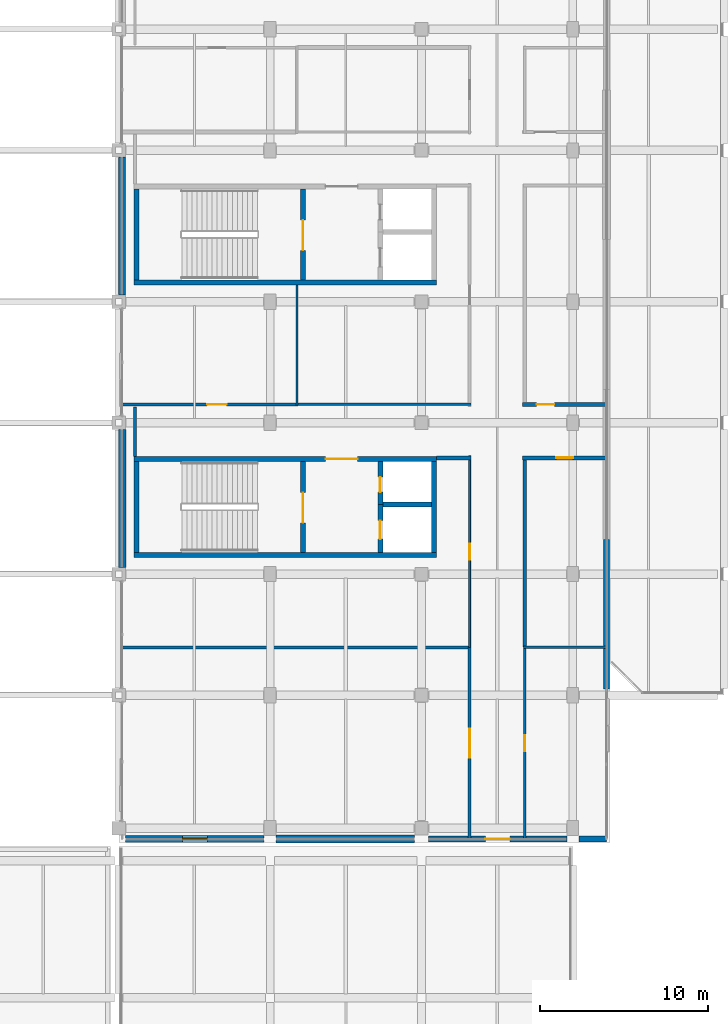
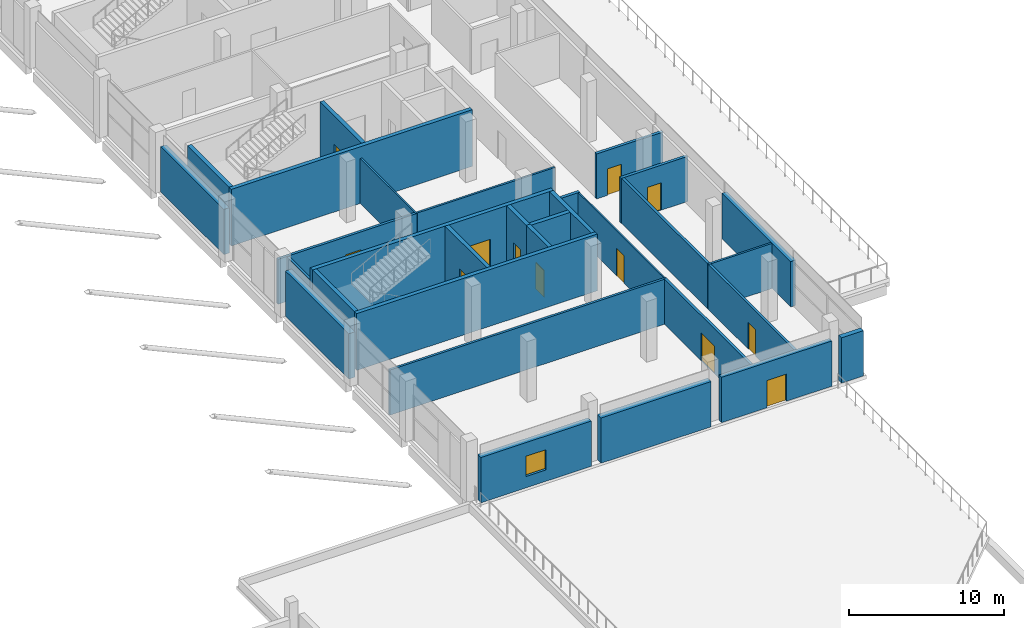
# One storey, part 54 of 82: 31 walls, 12 doors, 1 window, 13 openings.
"""IFC4 building model written with IfcOpenShell, lengths in metres."""

from ifc_helpers import new_model, si_unit, direction, frame, frame_2d, origin, place, context, subcontext, project, spatial, rectangle, extrude, material, layer, layer_set, type_object, element, fill, save


model = new_model("IFC4")

# Units and contexts
model_context = context("Model", 3, precision=1e-05, world=origin(), true_north=direction((0.0, 1.0)))
body_context = subcontext(model_context, "Body", "Model", "MODEL_VIEW")
ifc_project = project(units=[si_unit("LENGTHUNIT", "METRE"), si_unit("AREAUNIT", "SQUARE_METRE"), si_unit("VOLUMEUNIT", "CUBIC_METRE"), si_unit("PLANEANGLEUNIT", "RADIAN"), si_unit("MASSUNIT", "GRAM", prefix="KILO"), si_unit("THERMODYNAMICTEMPERATUREUNIT", "KELVIN"), si_unit("POWERUNIT", "WATT")], contexts=[model_context])

# Site, building, storey
site_placement = place(None, origin())
site = spatial("IfcSite", under=ifc_project, at=site_placement, CompositionType="ELEMENT")
building_placement = place(site_placement, origin())
building = spatial("IfcBuilding", under=site, at=building_placement, Name="Sindhuravela Promenade Stadium", CompositionType="ELEMENT")
storey_placement = place(building_placement, frame((0.0, 0.0, 14.39990234375)))
storey = spatial("IfcBuildingStorey", under=building, at=storey_placement, Name="L03", CompositionType="ELEMENT", Elevation=14.39990234375)

# Wall, opening, door
ifc_material_1 = material(Name="Terracotta clay brick masonry (15 MPa)", Category="masonry")
ifc_layer_1 = layer(ifc_material_1, 0.340087890625)
ifc_layer_set_1 = layer_set([ifc_layer_1], Name="Terracotta clay brick masonry (15 MPa)")
wall_type_1 = type_object("IfcWallType", Name="EX-WL-BRK340", PredefinedType="SOLIDWALL", material=ifc_layer_set_1)
wall_1_placement = place(storey_placement, frame((206.64501953125, 36.449951171875, 0.0), z_axis=(0.0, 0.0, 1.0), x_axis=(-1.0, 0.0, 0.0)))
wall_1 = element("IfcWall", 1, at=wall_1_placement, inside=storey, type_object=wall_type_1, Name="Exterior masonry wall EW06 EAST L03", PredefinedType="SOLIDWALL", context=body_context, shape_type="SweptSolid", body=[
    extrude(rectangle(XDim=8.239990234375, YDim=0.340087890625, at=frame_2d((4.1201171875, 0.0))), origin(), (0.0, 0.0, 1.0), 3.580078125),
])
opening_1_placement = place(wall_1_placement, frame((3.39501953125, 0.0, 0.0)))
opening_1 = element("IfcOpeningElement", 2, at=opening_1_placement, cuts=wall_1, Name="Opening TD04", PredefinedType="OPENING", context=body_context, shape_type="SweptSolid", body=[
    extrude(rectangle(XDim=1.449951171875, YDim=2.14990234375, at=frame_2d((0.72509765625, 1.074951171875))), frame((0.0, 0.179931640625, 0.0), z_axis=(0.0, -1.0, 0.0), x_axis=(1.0, 0.0, 0.0)), (0.0, 0.0, 1.0), 0.360107421875),
])
ifc_material_2 = material(Name="Anodised architectural aluminium 6063-T6", Category="aluminium")
door_type_1 = type_object("IfcDoorType", Name="DR-TER-1450x2150", OperationType="DOUBLE_DOOR_SINGLE_SWING", PredefinedType="DOOR", material=ifc_material_2)
door_1_placement = place(opening_1_placement, origin())
door_1 = element("IfcDoor", 3, at=door_1_placement, inside=storey, type_object=door_type_1, Name="Terrace access door SE Gate Pavilion Planted Roof Garden", OperationType="DOUBLE_DOOR_SINGLE_SWING", OverallHeight=2.14990234375, OverallWidth=1.449951171875, PredefinedType="DOOR", context=body_context, shape_type="SweptSolid", body=[
    extrude(rectangle(XDim=1.449951171875, YDim=2.14990234375, at=frame_2d((0.72509765625, 1.074951171875))), frame((0.0, 0.02490234375, 0.0), z_axis=(0.0, -1.0, 0.0), x_axis=(1.0, 0.0, 0.0)), (0.0, 0.0, 1.0), 0.050048828125),
])
fill(opening_1, door_1)

# Walls
ifc_layer_2 = layer(ifc_material_1, 0.360107421875)
ifc_layer_set_2 = layer_set([ifc_layer_2], Name="Terracotta clay brick masonry (15 MPa)")
wall_type_2 = type_object("IfcWallType", Name="EX-WL-BRK360", PredefinedType="SOLIDWALL", material=ifc_layer_set_2)
wall_2_placement = place(storey_placement, frame((209.0, 36.449951171875, 0.0), z_axis=(0.0, 0.0, 1.0), x_axis=(-1.0, 0.0, 0.0)))
element("IfcWall", 4, at=wall_2_placement, inside=storey, type_object=wall_type_2, Name="Exterior masonry wall EW05 EAST L03", PredefinedType="SOLIDWALL", context=body_context, shape_type="SweptSolid", body=[
    extrude(rectangle(XDim=1.64501953125, YDim=0.360107421875, at=frame_2d((0.822509765625, 0.0))), origin(), (0.0, 0.0, 1.0), 3.580078125),
])
ifc_layer_3 = layer(ifc_material_1, 0.3798828125)
ifc_layer_set_3 = layer_set([ifc_layer_3], Name="Terracotta clay brick masonry (15 MPa)")
wall_type_3 = type_object("IfcWallType", Name="EX-WL-BRK380", PredefinedType="SOLIDWALL", material=ifc_layer_set_3)
wall_3_placement = place(storey_placement, frame((209.0, 54.27001953125, 0.0), z_axis=(0.0, 0.0, 1.0), x_axis=(0.0, -1.0, 0.0)))
element("IfcWall", 5, at=wall_3_placement, inside=storey, type_object=wall_type_3, Name="Exterior masonry wall EW04 EAST L03", PredefinedType="SOLIDWALL", context=body_context, shape_type="SweptSolid", body=[
    extrude(rectangle(XDim=8.909912109375, YDim=0.3798828125, at=frame_2d((4.455078125, 0.0))), origin(), (0.0, 0.0, 1.0), 3.580078125),
])
ifc_layer_4 = layer(ifc_material_1, 0.419921875)
ifc_layer_set_4 = layer_set([ifc_layer_4], Name="Terracotta clay brick masonry (15 MPa)")
wall_type_4 = type_object("IfcWallType", Name="EX-WL-BRK420", PredefinedType="SOLIDWALL", material=ifc_layer_set_4)
wall_4_placement = place(storey_placement, frame((180.199951171875, 68.804931640625, 0.0), z_axis=(0.0, 0.0, 1.0), x_axis=(0.0, 1.0, 0.0)))
element("IfcWall", 6, at=wall_4_placement, inside=storey, type_object=wall_type_4, Name="Exterior masonry wall EW02 EAST L03", PredefinedType="SOLIDWALL", context=body_context, shape_type="SweptSolid", body=[
    extrude(rectangle(XDim=8.190185546875, YDim=0.419921875, at=frame_2d((4.09521484375, 0.0))), origin(), (0.0, 0.0, 1.0), 3.580078125),
])

# Wall, opening, window
wall_5_placement = place(storey_placement, frame((188.64501953125, 36.449951171875, 0.0), z_axis=(0.0, 0.0, 1.0), x_axis=(-1.0, 0.0, 0.0)))
wall_5 = element("IfcWall", 7, at=wall_5_placement, inside=storey, type_object=wall_type_4, Name="Exterior masonry wall EW02 EAST L03", PredefinedType="SOLIDWALL", context=body_context, shape_type="SweptSolid", body=[
    extrude(rectangle(XDim=8.239990234375, YDim=0.419921875, at=frame_2d((4.1201171875, 0.0))), origin(), (0.0, 0.0, 1.0), 3.580078125),
])
opening_2_placement = place(wall_5_placement, frame((3.3701171875, 0.0, 0.89990234375)))
opening_2 = element("IfcOpeningElement", 8, at=opening_2_placement, cuts=wall_5, Name="Opening W05", PredefinedType="OPENING", context=body_context, shape_type="SweptSolid", body=[
    extrude(rectangle(XDim=1.5, YDim=1.60009765625, at=frame_2d((0.75, 0.800048828125))), frame((0.0, 0.219970703125, 0.0), z_axis=(0.0, -1.0, 0.0), x_axis=(1.0, 0.0, 0.0)), (0.0, 0.0, 1.0), 0.43994140625),
])
ifc_material_3 = material(Name="Tempered laminated low-E glass", Category="glass")
window_type = type_object("IfcWindowType", Name="WN-FAC-1500x1600", PartitioningType="SINGLE_PANEL", PredefinedType="WINDOW", material=ifc_material_3)
window_placement = place(opening_2_placement, origin())
window = element("IfcWindow", 9, at=window_placement, inside=storey, type_object=window_type, Name="Window W05 EAST L03", OverallHeight=1.60009765625, OverallWidth=1.5, PartitioningType="SINGLE_PANEL", PredefinedType="WINDOW", context=body_context, shape_type="SweptSolid", body=[
    extrude(rectangle(XDim=1.5, YDim=1.60009765625, at=frame_2d((0.75, 0.800048828125))), frame((0.0, 0.030029296875, 0.0), z_axis=(0.0, -1.0, 0.0), x_axis=(1.0, 0.0, 0.0)), (0.0, 0.0, 1.0), 0.06005859375),
])
fill(opening_2, window)

# Walls
ifc_layer_5 = layer(ifc_material_1, 0.4599609375)
ifc_layer_set_5 = layer_set([ifc_layer_5], Name="Terracotta clay brick masonry (15 MPa)")
wall_type_5 = type_object("IfcWallType", Name="EX-WL-BRK460", PredefinedType="SOLIDWALL", material=ifc_layer_set_5)
wall_6_placement = place(storey_placement, frame((180.199951171875, 52.60498046875, 0.0), z_axis=(0.0, 0.0, 1.0), x_axis=(0.0, 1.0, 0.0)))
element("IfcWall", 10, at=wall_6_placement, inside=storey, type_object=wall_type_5, Name="Exterior masonry wall EW01 EAST L03", PredefinedType="SOLIDWALL", context=body_context, shape_type="SweptSolid", body=[
    extrude(rectangle(XDim=8.18994140625, YDim=0.4599609375, at=frame_2d((4.094970703125, 0.0))), origin(), (0.0, 0.0, 1.0), 3.580078125),
])
wall_7_placement = place(storey_placement, frame((197.594970703125, 36.449951171875, 0.0), z_axis=(0.0, 0.0, 1.0), x_axis=(-1.0, 0.0, 0.0)))
element("IfcWall", 11, at=wall_7_placement, inside=storey, type_object=wall_type_5, Name="Exterior masonry wall EW01 EAST L03", PredefinedType="SOLIDWALL", context=body_context, shape_type="SweptSolid", body=[
    extrude(rectangle(XDim=8.239990234375, YDim=0.4599609375, at=frame_2d((4.1201171875, 0.0))), origin(), (0.0, 0.0, 1.0), 3.580078125),
])

# Wall, opening, door
ifc_material_4 = material(Name="Fire-rated gypsum partition board", Category="gypsum")
ifc_layer_6 = layer(ifc_material_4, 0.110107421875)
ifc_layer_set_6 = layer_set([ifc_layer_6], Name="Fire-rated gypsum partition board")
wall_type_6 = type_object("IfcWallType", Name="IN-WL-PAR110", PredefinedType="PARTITIONING", material=ifc_layer_set_6)
wall_8_placement = place(storey_placement, frame((200.860107421875, 47.840087890625, 0.0), z_axis=(0.0, 0.0, 1.0), x_axis=(0.0, 1.0, 0.0)))
wall_8 = element("IfcWall", 12, at=wall_8_placement, inside=storey, type_object=wall_type_6, Name="Corridor partition IW06 Executive Hospitality Suite E02", PredefinedType="PARTITIONING", context=body_context, shape_type="SweptSolid", body=[
    extrude(rectangle(XDim=11.389892578125, YDim=0.110107421875, at=frame_2d((5.69482421875, 0.0))), origin(), (0.0, 0.0, 1.0), 3.56005859375),
])
opening_3_placement = place(wall_8_placement, frame((5.219970703125, 0.0, 0.0)))
opening_3 = element("IfcOpeningElement", 13, at=opening_3_placement, cuts=wall_8, Name="Opening ID10", PredefinedType="OPENING", context=body_context, shape_type="SweptSolid", body=[
    extrude(rectangle(XDim=0.949951171875, YDim=2.179931640625, at=frame_2d((0.47509765625, 1.08984375))), frame((0.0, 0.06494140625, 0.0), z_axis=(0.0, -1.0, 0.0), x_axis=(1.0, 0.0, 0.0)), (0.0, 0.0, 1.0), 0.130126953125),
])
ifc_material_5 = material(Name="Architectural teak timber leaf", Category="wood")
door_type_2 = type_object("IfcDoorType", Name="DR-INT-950x2180", OperationType="NOTDEFINED", PredefinedType="DOOR", material=ifc_material_5)
door_2_placement = place(opening_3_placement, origin())
door_2 = element("IfcDoor", 14, at=door_2_placement, inside=storey, type_object=door_type_2, Name="Executive Hospitality Suite E02 door", OperationType="SINGLE_SWING_RIGHT", OverallHeight=2.179931640625, OverallWidth=0.949951171875, PredefinedType="DOOR", context=body_context, shape_type="SweptSolid", body=[
    extrude(rectangle(XDim=0.949951171875, YDim=2.179931640625, at=frame_2d((0.47509765625, 1.08984375))), frame((0.0, 0.02490234375, 0.0), z_axis=(0.0, -1.0, 0.0), x_axis=(1.0, 0.0, 0.0)), (0.0, 0.0, 1.0), 0.050048828125),
])
fill(opening_3, door_2)

# Walls
ifc_layer_7 = layer(ifc_material_4, 0.1298828125)
ifc_layer_set_7 = layer_set([ifc_layer_7], Name="Fire-rated gypsum partition board")
wall_type_7 = type_object("IfcWallType", Name="IN-WL-PAR130", PredefinedType="PARTITIONING", material=ifc_layer_set_7)
wall_9_placement = place(storey_placement, frame((190.590087890625, 62.2099609375, 0.0), z_axis=(0.0, 0.0, 1.0), x_axis=(0.0, 1.0, 0.0)))
element("IfcWall", 15, at=wall_9_placement, inside=storey, type_object=wall_type_7, Name="Interior partition IW05 EAST L03", PredefinedType="PARTITIONING", context=body_context, shape_type="SweptSolid", body=[
    extrude(rectangle(XDim=7.18798828125, YDim=0.1298828125, at=frame_2d((3.593994140625, 0.0))), origin(), (0.0, 0.0, 1.0), 3.56005859375),
])
ifc_layer_8 = layer(ifc_material_4, 0.14990234375)
ifc_layer_set_8 = layer_set([ifc_layer_8], Name="Fire-rated gypsum partition board")
wall_type_8 = type_object("IfcWallType", Name="IN-WL-PAR150", PredefinedType="PARTITIONING", material=ifc_layer_set_8)
wall_10_placement = place(storey_placement, frame((200.93994140625, 62.2900390625, 0.0), z_axis=(0.0, 0.0, 1.0), x_axis=(-1.0, 0.0, 0.0)))
element("IfcWall", 16, at=wall_10_placement, inside=storey, type_object=wall_type_8, Name="Interior partition IW04 EAST L03", PredefinedType="PARTITIONING", context=body_context, shape_type="SweptSolid", body=[
    extrude(rectangle(XDim=10.31005859375, YDim=0.14990234375, at=frame_2d((5.155029296875, 0.0))), origin(), (0.0, 0.0, 1.0), 3.56005859375),
])
wall_11_placement = place(storey_placement, frame((204.06005859375, 47.840087890625, 0.0), z_axis=(0.0, 0.0, 1.0), x_axis=(1.0, 0.0, 0.0)))
element("IfcWall", 17, at=wall_11_placement, inside=storey, type_object=wall_type_8, Name="Interior partition IW04 EAST L03", PredefinedType="PARTITIONING", context=body_context, shape_type="SweptSolid", body=[
    extrude(rectangle(XDim=4.89990234375, YDim=0.14990234375, at=frame_2d((2.449951171875, 0.0))), origin(), (0.0, 0.0, 1.0), 3.56005859375),
])
ifc_layer_9 = layer(ifc_material_4, 0.175048828125)
ifc_layer_set_9 = layer_set([ifc_layer_9], Name="Fire-rated gypsum partition board")
wall_type_9 = type_object("IfcWallType", Name="IN-WL-PAR175", PredefinedType="PARTITIONING", material=ifc_layer_set_9)
wall_12_placement = place(storey_placement, frame((180.23291015625, 47.840087890625, 0.0), z_axis=(0.0, 0.0, 1.0), x_axis=(1.0, 0.0, 0.0)))
element("IfcWall", 18, at=wall_12_placement, inside=storey, type_object=wall_type_9, Name="Interior partition IW03 EAST L03", PredefinedType="PARTITIONING", context=body_context, shape_type="SweptSolid", body=[
    extrude(rectangle(XDim=20.70703125, YDim=0.175048828125, at=frame_2d((10.353515625, 0.0))), origin(), (0.0, 0.0, 1.0), 3.56005859375),
])
wall_13_placement = place(storey_placement, frame((180.9599609375, 62.1298828125, 0.0), z_axis=(0.0, 0.0, 1.0), x_axis=(0.0, -1.0, 0.0)))
element("IfcWall", 19, at=wall_13_placement, inside=storey, type_object=wall_type_9, Name="Interior partition IW03 EAST L03", PredefinedType="PARTITIONING", context=body_context, shape_type="SweptSolid", body=[
    extrude(rectangle(XDim=2.927978515625, YDim=0.175048828125, at=frame_2d((1.4638671875, 0.0))), origin(), (0.0, 0.0, 1.0), 3.56005859375),
])

# Wall, opening, door
wall_14_placement = place(storey_placement, frame((204.139892578125, 47.840087890625, 0.0), z_axis=(0.0, 0.0, 1.0), x_axis=(0.0, -1.0, 0.0)))
wall_14 = element("IfcWall", 20, at=wall_14_placement, inside=storey, type_object=wall_type_9, Name="Corridor partition IW03 Corporate Dining Salon East 5", PredefinedType="PARTITIONING", context=body_context, shape_type="SweptSolid", body=[
    extrude(rectangle(XDim=11.39013671875, YDim=0.175048828125, at=frame_2d((5.695068359375, 0.0))), origin(), (0.0, 0.0, 1.0), 3.56005859375),
])
opening_4_placement = place(wall_14_placement, frame((5.219970703125, 0.0, 0.0)))
opening_4 = element("IfcOpeningElement", 21, at=opening_4_placement, cuts=wall_14, Name="Opening ID09", PredefinedType="OPENING", context=body_context, shape_type="SweptSolid", body=[
    extrude(rectangle(XDim=0.949951171875, YDim=2.10009765625, at=frame_2d((0.47509765625, 1.050048828125))), frame((0.0, 0.097412109375, 0.0), z_axis=(0.0, -1.0, 0.0), x_axis=(1.0, 0.0, 0.0)), (0.0, 0.0, 1.0), 0.195068359375),
])
door_type_3 = type_object("IfcDoorType", Name="DR-INT-950x2100", OperationType="NOTDEFINED", PredefinedType="DOOR", material=ifc_material_5)
door_3_placement = place(opening_4_placement, origin())
door_3 = element("IfcDoor", 22, at=door_3_placement, inside=storey, type_object=door_type_3, Name="Corporate Dining Salon East 5 door", OperationType="SINGLE_SWING_LEFT", OverallHeight=2.10009765625, OverallWidth=0.949951171875, PredefinedType="DOOR", context=body_context, shape_type="SweptSolid", body=[
    extrude(rectangle(XDim=0.949951171875, YDim=2.10009765625, at=frame_2d((0.47509765625, 1.050048828125))), frame((0.0, 0.02490234375, 0.0), z_axis=(0.0, -1.0, 0.0), x_axis=(1.0, 0.0, 0.0)), (0.0, 0.0, 1.0), 0.050048828125),
])
fill(opening_4, door_3)

ifc_layer_10 = layer(ifc_material_4, 0.195068359375)
ifc_layer_set_10 = layer_set([ifc_layer_10], Name="Fire-rated gypsum partition board")
wall_type_10 = type_object("IfcWallType", Name="IN-WL-PAR195", PredefinedType="PARTITIONING", material=ifc_layer_set_10)
wall_15_placement = place(storey_placement, frame((200.860107421875, 36.449951171875, 0.0), z_axis=(0.0, 0.0, 1.0), x_axis=(0.0, 1.0, 0.0)))
wall_15 = element("IfcWall", 23, at=wall_15_placement, inside=storey, type_object=wall_type_10, Name="Corridor partition IW02 Parkview Hospitality Lounge East", PredefinedType="PARTITIONING", context=body_context, shape_type="SweptSolid", body=[
    extrude(rectangle(XDim=11.39013671875, YDim=0.195068359375, at=frame_2d((5.695068359375, 0.0))), origin(), (0.0, 0.0, 1.0), 3.56005859375),
])
opening_5_placement = place(wall_15_placement, frame((4.844970703125, 0.0, 0.0)))
opening_5 = element("IfcOpeningElement", 24, at=opening_5_placement, cuts=wall_15, Name="Opening ID01", PredefinedType="OPENING", context=body_context, shape_type="SweptSolid", body=[
    extrude(rectangle(XDim=1.699951171875, YDim=2.199951171875, at=frame_2d((0.85009765625, 1.10009765625))), frame((0.0, 0.107421875, 0.0), z_axis=(0.0, -1.0, 0.0), x_axis=(1.0, 0.0, 0.0)), (0.0, 0.0, 1.0), 0.215087890625),
])
door_type_4 = type_object("IfcDoorType", Name="DR-INT-1700x2200", OperationType="DOUBLE_DOOR_SINGLE_SWING", PredefinedType="DOOR", material=ifc_material_5)
door_4_placement = place(opening_5_placement, origin())
door_4 = element("IfcDoor", 25, at=door_4_placement, inside=storey, type_object=door_type_4, Name="Parkview Hospitality Lounge East door", OperationType="DOUBLE_DOOR_SINGLE_SWING", OverallHeight=2.199951171875, OverallWidth=1.699951171875, PredefinedType="DOOR", context=body_context, shape_type="SweptSolid", body=[
    extrude(rectangle(XDim=1.699951171875, YDim=2.199951171875, at=frame_2d((0.85009765625, 1.10009765625))), frame((0.0, 0.02490234375, 0.0), z_axis=(0.0, -1.0, 0.0), x_axis=(1.0, 0.0, 0.0)), (0.0, 0.0, 1.0), 0.050048828125),
])
fill(opening_5, door_4)

wall_16_placement = place(storey_placement, frame((180.23291015625, 62.2900390625, 0.0), z_axis=(0.0, 0.0, 1.0), x_axis=(1.0, 0.0, 0.0)))
wall_16 = element("IfcWall", 26, at=wall_16_placement, inside=storey, type_object=wall_type_10, Name="Corridor partition IW02 Hospitality Toilet Suite East L03", PredefinedType="PARTITIONING", context=body_context, shape_type="SweptSolid", body=[
    extrude(rectangle(XDim=10.357177734375, YDim=0.195068359375, at=frame_2d((5.1787109375, 0.0))), origin(), (0.0, 0.0, 1.0), 3.56005859375),
])
opening_6_placement = place(wall_16_placement, frame((5.027099609375, 0.0, 0.0)))
opening_6 = element("IfcOpeningElement", 27, at=opening_6_placement, cuts=wall_16, Name="Opening ID05", PredefinedType="OPENING", context=body_context, shape_type="SweptSolid", body=[
    extrude(rectangle(XDim=1.14990234375, YDim=2.14990234375, at=frame_2d((0.574951171875, 1.074951171875))), frame((0.0, 0.107421875, 0.0), z_axis=(0.0, -1.0, 0.0), x_axis=(1.0, 0.0, 0.0)), (0.0, 0.0, 1.0), 0.215087890625),
])
door_type_5 = type_object("IfcDoorType", Name="DR-INT-1150x2150", OperationType="NOTDEFINED", PredefinedType="DOOR", material=ifc_material_5)
door_5_placement = place(opening_6_placement, origin())
door_5 = element("IfcDoor", 28, at=door_5_placement, inside=storey, type_object=door_type_5, Name="Hospitality Toilet Suite East L03 door", OperationType="SINGLE_SWING_LEFT", OverallHeight=2.14990234375, OverallWidth=1.14990234375, PredefinedType="DOOR", context=body_context, shape_type="SweptSolid", body=[
    extrude(rectangle(XDim=1.14990234375, YDim=2.14990234375, at=frame_2d((0.574951171875, 1.074951171875))), frame((0.0, 0.02490234375, 0.0), z_axis=(0.0, -1.0, 0.0), x_axis=(1.0, 0.0, 0.0)), (0.0, 0.0, 1.0), 0.050048828125),
])
fill(opening_6, door_5)

# Walls
wall_17_placement = place(storey_placement, frame((204.139892578125, 47.8798828125, 0.0), z_axis=(0.0, 0.0, 1.0), x_axis=(0.0, 1.0, 0.0)))
element("IfcWall", 29, at=wall_17_placement, inside=storey, type_object=wall_type_10, Name="Interior partition IW02 EAST L03", PredefinedType="PARTITIONING", context=body_context, shape_type="SweptSolid", body=[
    extrude(rectangle(XDim=11.31005859375, YDim=0.195068359375, at=frame_2d((5.655029296875, 0.0))), origin(), (0.0, 0.0, 1.0), 3.56005859375),
])
ifc_layer_11 = layer(ifc_material_4, 0.219970703125)
ifc_layer_set_11 = layer_set([ifc_layer_11], Name="Fire-rated gypsum partition board")
wall_type_11 = type_object("IfcWallType", Name="IN-WL-PAR220", PredefinedType="PARTITIONING", material=ifc_layer_set_11)
wall_18_placement = place(storey_placement, frame((198.902099609375, 59.110107421875, 0.0), z_axis=(0.0, 0.0, 1.0), x_axis=(1.0, 0.0, 0.0)))
element("IfcWall", 30, at=wall_18_placement, inside=storey, type_object=wall_type_11, Name="Interior partition IW01 EAST L03", PredefinedType="PARTITIONING", context=body_context, shape_type="SweptSolid", body=[
    extrude(rectangle(XDim=2.037841796875, YDim=0.219970703125, at=frame_2d((1.01904296875, 0.0))), origin(), (0.0, 0.0, 1.0), 3.56005859375),
])

# Wall, opening, door
wall_19_placement = place(storey_placement, frame((204.02001953125, 62.2900390625, 0.0), z_axis=(0.0, 0.0, 1.0), x_axis=(1.0, 0.0, 0.0)))
wall_19 = element("IfcWall", 31, at=wall_19_placement, inside=storey, type_object=wall_type_11, Name="Corridor partition IW01 Executive Hospitality Suite E01 3", PredefinedType="PARTITIONING", context=body_context, shape_type="SweptSolid", body=[
    extrude(rectangle(XDim=4.97998046875, YDim=0.219970703125, at=frame_2d((2.489990234375, 0.0))), origin(), (0.0, 0.0, 1.0), 3.56005859375),
])
opening_7_placement = place(wall_19_placement, frame((0.827392578125, 0.0, 0.0)))
opening_7 = element("IfcOpeningElement", 32, at=opening_7_placement, cuts=wall_19, Name="Opening ID07", PredefinedType="OPENING", context=body_context, shape_type="SweptSolid", body=[
    extrude(rectangle(XDim=1.050048828125, YDim=2.10009765625, at=frame_2d((0.52490234375, 1.050048828125))), frame((0.0, 0.119873046875, 0.0), z_axis=(0.0, -1.0, 0.0), x_axis=(1.0, 0.0, 0.0)), (0.0, 0.0, 1.0), 0.239990234375),
])
door_type_6 = type_object("IfcDoorType", Name="DR-INT-1050x2100", OperationType="NOTDEFINED", PredefinedType="DOOR", material=ifc_material_5)
door_6_placement = place(opening_7_placement, origin())
door_6 = element("IfcDoor", 33, at=door_6_placement, inside=storey, type_object=door_type_6, Name="Executive Hospitality Suite E01 3 door", OperationType="SINGLE_SWING_LEFT", OverallHeight=2.10009765625, OverallWidth=1.050048828125, PredefinedType="DOOR", context=body_context, shape_type="SweptSolid", body=[
    extrude(rectangle(XDim=1.050048828125, YDim=2.10009765625, at=frame_2d((0.52490234375, 1.050048828125))), frame((0.0, 0.02490234375, 0.0), z_axis=(0.0, -1.0, 0.0), x_axis=(1.0, 0.0, 0.0)), (0.0, 0.0, 1.0), 0.050048828125),
])
fill(opening_7, door_6)

wall_20_placement = place(storey_placement, frame((209.0, 59.110107421875, 0.0), z_axis=(0.0, 0.0, 1.0), x_axis=(-1.0, 0.0, 0.0)))
wall_20 = element("IfcWall", 34, at=wall_20_placement, inside=storey, type_object=wall_type_11, Name="Corridor partition IW01 Hospitality Pantry East L03 7", PredefinedType="PARTITIONING", context=body_context, shape_type="SweptSolid", body=[
    extrude(rectangle(XDim=4.97998046875, YDim=0.219970703125, at=frame_2d((2.489990234375, 0.0))), origin(), (0.0, 0.0, 1.0), 3.56005859375),
])
opening_8_placement = place(wall_20_placement, frame((1.97998046875, 0.0, 0.0)))
opening_8 = element("IfcOpeningElement", 35, at=opening_8_placement, cuts=wall_20, Name="Opening ID11", PredefinedType="OPENING", context=body_context, shape_type="SweptSolid", body=[
    extrude(rectangle(XDim=1.02001953125, YDim=2.159912109375, at=frame_2d((0.510009765625, 1.080078125))), frame((0.0, 0.119873046875, 0.0), z_axis=(0.0, -1.0, 0.0), x_axis=(1.0, 0.0, 0.0)), (0.0, 0.0, 1.0), 0.239990234375),
])
door_type_7 = type_object("IfcDoorType", Name="DR-INT-1020x2160", OperationType="NOTDEFINED", PredefinedType="DOOR", material=ifc_material_5)
door_7_placement = place(opening_8_placement, origin())
door_7 = element("IfcDoor", 36, at=door_7_placement, inside=storey, type_object=door_type_7, Name="Hospitality Pantry East L03 7 door", OperationType="SINGLE_SWING_LEFT", OverallHeight=2.159912109375, OverallWidth=1.02001953125, PredefinedType="DOOR", context=body_context, shape_type="SweptSolid", body=[
    extrude(rectangle(XDim=1.02001953125, YDim=2.159912109375, at=frame_2d((0.510009765625, 1.080078125))), frame((0.0, 0.02490234375, 0.0), z_axis=(0.0, -1.0, 0.0), x_axis=(1.0, 0.0, 0.0)), (0.0, 0.0, 1.0), 0.050048828125),
])
fill(opening_8, door_7)

# Wall
ifc_material_6 = material(Name="Concrete M50", Category="concrete")
ifc_layer_12 = layer(ifc_material_6, 0.300048828125)
ifc_layer_set_12 = layer_set([ifc_layer_12], Name="Concrete M50")
wall_type_12 = type_object("IfcWallType", Name="RC-SW-300", PredefinedType="SHEAR", material=ifc_layer_set_12)
wall_21_placement = place(storey_placement, frame((180.89990234375, 53.35009765625, 0.0), z_axis=(0.0, 0.0, 1.0), x_axis=(1.0, 0.0, 0.0)))
element("IfcWall", 37, at=wall_21_placement, inside=storey, type_object=wall_type_12, Name="Core shear wall C05-S (L03)", PredefinedType="SHEAR", context=body_context, shape_type="SweptSolid", body=[
    extrude(rectangle(XDim=18.0, YDim=0.300048828125, at=frame_2d((9.0, 0.0))), origin(), (0.0, 0.0, 1.0), 4.47998046875),
])

# Wall, opening, door
wall_22_placement = place(storey_placement, frame((198.89990234375, 59.050048828125, 0.0), z_axis=(0.0, 0.0, 1.0), x_axis=(-1.0, 0.0, 0.0)))
wall_22 = element("IfcWall", 38, at=wall_22_placement, inside=storey, type_object=wall_type_12, Name="Core shear wall C05-N (L03)", PredefinedType="SHEAR", context=body_context, shape_type="SweptSolid", body=[
    extrude(rectangle(XDim=18.0, YDim=0.300048828125, at=frame_2d((9.0, 0.0))), origin(), (0.0, 0.0, 1.0), 4.47998046875),
])
opening_9_placement = place(wall_22_placement, frame((4.699951171875, 0.0, 0.0)))
opening_9 = element("IfcOpeningElement", 39, at=opening_9_placement, cuts=wall_22, Name="Opening FD02", PredefinedType="OPENING", context=body_context, shape_type="SweptSolid", body=[
    extrude(rectangle(XDim=1.89990234375, YDim=2.25, at=frame_2d((0.949951171875, 1.125))), frame((0.0, 0.159912109375, 0.0), z_axis=(0.0, -1.0, 0.0), x_axis=(1.0, 0.0, 0.0)), (0.0, 0.0, 1.0), 0.320068359375),
])
ifc_material_7 = material(Name="Architectural wrought steel E350", Category="steel")
door_type_8 = type_object("IfcDoorType", Name="DR-LOB-1900x2250", OperationType="DOUBLE_DOOR_SINGLE_SWING", PredefinedType="DOOR", material=ifc_material_7)
door_8_placement = place(opening_9_placement, origin())
door_8 = element("IfcDoor", 40, at=door_8_placement, inside=storey, type_object=door_type_8, Name="Protected lobby entrance door C05 (L03)", OperationType="DOUBLE_DOOR_SINGLE_SWING", OverallHeight=2.25, OverallWidth=1.89990234375, PredefinedType="DOOR", context=body_context, shape_type="SweptSolid", body=[
    extrude(rectangle(XDim=1.89990234375, YDim=2.25, at=frame_2d((0.949951171875, 1.125))), frame((0.0, 0.02490234375, 0.0), z_axis=(0.0, -1.0, 0.0), x_axis=(1.0, 0.0, 0.0)), (0.0, 0.0, 1.0), 0.050048828125),
])
fill(opening_9, door_8)

# Walls
for number, where, z_axis, x_axis, name in (
    (41, (181.050048828125, 58.89990234375, 0.0), (0.0, 0.0, 1.0), (0.0, -1.0, 0.0), "Core shear wall C05-W (L03)"),
    (42, (198.75, 53.5, 0.0), (0.0, 0.0, 1.0), (0.0, 1.0, 0.0), "Core shear wall C05-E (L03)"),
):
    element("IfcWall", number, at=place(storey_placement, frame(where, z_axis=z_axis, x_axis=x_axis)), inside=storey, type_object=wall_type_12, Name=name, PredefinedType="SHEAR", context=body_context, shape_type="SweptSolid", body=[
        extrude(rectangle(XDim=5.39990234375, YDim=0.300048828125, at=frame_2d((2.699951171875, 0.0))), origin(), (0.0, 0.0, 1.0), 4.47998046875),
    ])

# Wall, opening, door
wall_23_placement = place(storey_placement, frame((190.949951171875, 53.5, 0.0), z_axis=(0.0, 0.0, 1.0), x_axis=(0.0, 1.0, 0.0)))
wall_23 = element("IfcWall", 43, at=wall_23_placement, inside=storey, type_object=wall_type_12, Name="Core shear wall C05-ST (L03)", PredefinedType="SHEAR", context=body_context, shape_type="SweptSolid", body=[
    extrude(rectangle(XDim=5.39990234375, YDim=0.300048828125, at=frame_2d((2.699951171875, 0.0))), origin(), (0.0, 0.0, 1.0), 4.47998046875),
])
opening_10_placement = place(wall_23_placement, frame((1.75, 0.0, 0.0)))
opening_10 = element("IfcOpeningElement", 44, at=opening_10_placement, cuts=wall_23, Name="Opening FD01", PredefinedType="OPENING", context=body_context, shape_type="SweptSolid", body=[
    extrude(rectangle(XDim=1.800048828125, YDim=2.25, at=frame_2d((0.89990234375, 1.125))), frame((0.0, 0.159912109375, 0.0), z_axis=(0.0, -1.0, 0.0), x_axis=(1.0, 0.0, 0.0)), (0.0, 0.0, 1.0), 0.320068359375),
])
door_type_9 = type_object("IfcDoorType", Name="DR-CORE-1800x2250", OperationType="DOUBLE_DOOR_SINGLE_SWING", PredefinedType="DOOR", material=ifc_material_7)
door_9_placement = place(opening_10_placement, origin())
door_9 = element("IfcDoor", 45, at=door_9_placement, inside=storey, type_object=door_type_9, Name="Stair ST05 lobby fire door (L03)", OperationType="DOUBLE_DOOR_SINGLE_SWING", OverallHeight=2.25, OverallWidth=1.800048828125, PredefinedType="DOOR", context=body_context, shape_type="SweptSolid", body=[
    extrude(rectangle(XDim=1.800048828125, YDim=2.25, at=frame_2d((0.89990234375, 1.125))), frame((0.0, 0.02490234375, 0.0), z_axis=(0.0, -1.0, 0.0), x_axis=(1.0, 0.0, 0.0)), (0.0, 0.0, 1.0), 0.050048828125),
])
fill(opening_10, door_9)

wall_24_placement = place(storey_placement, frame((195.550048828125, 53.5, 0.0), z_axis=(0.0, 0.0, 1.0), x_axis=(0.0, 1.0, 0.0)))
wall_24 = element("IfcWall", 46, at=wall_24_placement, inside=storey, type_object=wall_type_12, Name="Core shear wall C05-LFT (L03)", PredefinedType="SHEAR", context=body_context, shape_type="SweptSolid", body=[
    extrude(rectangle(XDim=2.85009765625, YDim=0.300048828125, at=frame_2d((1.425048828125, 0.0))), origin(), (0.0, 0.0, 1.0), 4.47998046875),
])
opening_11_placement = place(wall_24_placement, frame((0.77490234375, 0.0, 0.0)))
opening_11 = element("IfcOpeningElement", 47, at=opening_11_placement, cuts=wall_24, Name="Opening LD", PredefinedType="OPENING", context=body_context, shape_type="SweptSolid", body=[
    extrude(rectangle(XDim=1.10009765625, YDim=2.10009765625, at=frame_2d((0.550048828125, 1.050048828125))), frame((0.0, 0.159912109375, 0.0), z_axis=(0.0, -1.0, 0.0), x_axis=(1.0, 0.0, 0.0)), (0.0, 0.0, 1.0), 0.320068359375),
])
door_type_10 = type_object("IfcDoorType", Name="DR-LFT-1100x2100", OperationType="DOUBLE_DOOR_SLIDING", PredefinedType="DOOR", material=ifc_material_7)
door_10_placement = place(opening_11_placement, origin())
door_10 = element("IfcDoor", 48, at=door_10_placement, inside=storey, type_object=door_type_10, Name="Lift PL01 landing door (L03)", OperationType="DOUBLE_DOOR_SLIDING", OverallHeight=2.10009765625, OverallWidth=1.10009765625, PredefinedType="DOOR", context=body_context, shape_type="SweptSolid", body=[
    extrude(rectangle(XDim=1.10009765625, YDim=2.10009765625, at=frame_2d((0.550048828125, 1.050048828125))), frame((0.0, 0.02490234375, 0.0), z_axis=(0.0, -1.0, 0.0), x_axis=(1.0, 0.0, 0.0)), (0.0, 0.0, 1.0), 0.050048828125),
])
fill(opening_11, door_10)

wall_25_placement = place(storey_placement, frame((195.550048828125, 56.35009765625, 0.0), z_axis=(0.0, 0.0, 1.0), x_axis=(0.0, 1.0, 0.0)))
wall_25 = element("IfcWall", 49, at=wall_25_placement, inside=storey, type_object=wall_type_12, Name="Core shear wall C05-RSR (L03)", PredefinedType="SHEAR", context=body_context, shape_type="SweptSolid", body=[
    extrude(rectangle(XDim=2.5498046875, YDim=0.300048828125, at=frame_2d((1.27490234375, 0.0))), origin(), (0.0, 0.0, 1.0), 4.47998046875),
])
opening_12_placement = place(wall_25_placement, frame((0.72509765625, 0.0, 0.0)))
opening_12 = element("IfcOpeningElement", 50, at=opening_12_placement, cuts=wall_25, Name="Opening FD03", PredefinedType="OPENING", context=body_context, shape_type="SweptSolid", body=[
    extrude(rectangle(XDim=0.89990234375, YDim=2.10009765625, at=frame_2d((0.449951171875, 1.050048828125))), frame((0.0, 0.159912109375, 0.0), z_axis=(0.0, -1.0, 0.0), x_axis=(1.0, 0.0, 0.0)), (0.0, 0.0, 1.0), 0.320068359375),
])
door_type_11 = type_object("IfcDoorType", Name="DR-RSR-900x2100", OperationType="NOTDEFINED", PredefinedType="DOOR", material=ifc_material_7)
door_11_placement = place(opening_12_placement, origin())
door_11 = element("IfcDoor", 51, at=door_11_placement, inside=storey, type_object=door_type_11, Name="Riser shaft access door C05 (L03)", OperationType="SINGLE_SWING_RIGHT", OverallHeight=2.10009765625, OverallWidth=0.89990234375, PredefinedType="DOOR", context=body_context, shape_type="SweptSolid", body=[
    extrude(rectangle(XDim=0.89990234375, YDim=2.10009765625, at=frame_2d((0.449951171875, 1.050048828125))), frame((0.0, 0.02490234375, 0.0), z_axis=(0.0, -1.0, 0.0), x_axis=(1.0, 0.0, 0.0)), (0.0, 0.0, 1.0), 0.050048828125),
])
fill(opening_12, door_11)

# Walls
wall_26_placement = place(storey_placement, frame((195.699951171875, 56.35009765625, 0.0), z_axis=(0.0, 0.0, 1.0), x_axis=(1.0, 0.0, 0.0)))
element("IfcWall", 52, at=wall_26_placement, inside=storey, type_object=wall_type_12, Name="Core shear wall C05-DIV (L03)", PredefinedType="SHEAR", context=body_context, shape_type="SweptSolid", body=[
    extrude(rectangle(XDim=2.900146484375, YDim=0.300048828125, at=frame_2d((1.4501953125, 0.0))), origin(), (0.0, 0.0, 1.0), 4.47998046875),
])
wall_27_placement = place(storey_placement, frame((180.89990234375, 69.550048828125, 0.0), z_axis=(0.0, 0.0, 1.0), x_axis=(1.0, 0.0, 0.0)))
element("IfcWall", 53, at=wall_27_placement, inside=storey, type_object=wall_type_12, Name="Core shear wall C06-S (L03)", PredefinedType="SHEAR", context=body_context, shape_type="SweptSolid", body=[
    extrude(rectangle(XDim=18.0, YDim=0.300048828125, at=frame_2d((9.0, 0.0))), origin(), (0.0, 0.0, 1.0), 4.47998046875),
])
wall_28_placement = place(storey_placement, frame((181.050048828125, 75.10009765625, 0.0), z_axis=(0.0, 0.0, 1.0), x_axis=(0.0, -1.0, 0.0)))
element("IfcWall", 54, at=wall_28_placement, inside=storey, type_object=wall_type_12, Name="Core shear wall C06-W (L03)", PredefinedType="SHEAR", context=body_context, shape_type="SweptSolid", body=[
    extrude(rectangle(XDim=5.400146484375, YDim=0.300048828125, at=frame_2d((2.7001953125, 0.0))), origin(), (0.0, 0.0, 1.0), 4.47998046875),
])

# Wall, opening, door
wall_29_placement = place(storey_placement, frame((190.949951171875, 69.699951171875, 0.0), z_axis=(0.0, 0.0, 1.0), x_axis=(0.0, 1.0, 0.0)))
wall_29 = element("IfcWall", 55, at=wall_29_placement, inside=storey, type_object=wall_type_12, Name="Core shear wall C06-ST (L03)", PredefinedType="SHEAR", context=body_context, shape_type="SweptSolid", body=[
    extrude(rectangle(XDim=5.400146484375, YDim=0.300048828125, at=frame_2d((2.7001953125, 0.0))), origin(), (0.0, 0.0, 1.0), 4.47998046875),
])
opening_13_placement = place(wall_29_placement, frame((1.75, 0.0, 0.0)))
opening_13 = element("IfcOpeningElement", 56, at=opening_13_placement, cuts=wall_29, Name="Opening FD01", PredefinedType="OPENING", context=body_context, shape_type="SweptSolid", body=[
    extrude(rectangle(XDim=1.800048828125, YDim=2.25, at=frame_2d((0.89990234375, 1.125))), frame((0.0, 0.159912109375, 0.0), z_axis=(0.0, -1.0, 0.0), x_axis=(1.0, 0.0, 0.0)), (0.0, 0.0, 1.0), 0.320068359375),
])
door_12_placement = place(opening_13_placement, origin())
door_12 = element("IfcDoor", 57, at=door_12_placement, inside=storey, type_object=door_type_9, Name="Stair ST06 lobby fire door (L03)", OperationType="DOUBLE_DOOR_SINGLE_SWING", OverallHeight=2.25, OverallWidth=1.800048828125, PredefinedType="DOOR", context=body_context, shape_type="SweptSolid", body=[
    extrude(rectangle(XDim=1.800048828125, YDim=2.25, at=frame_2d((0.89990234375, 1.125))), frame((0.0, 0.02490234375, 0.0), z_axis=(0.0, -1.0, 0.0), x_axis=(1.0, 0.0, 0.0)), (0.0, 0.0, 1.0), 0.050048828125),
])
fill(opening_13, door_12)

save(model, "model.ifc")
